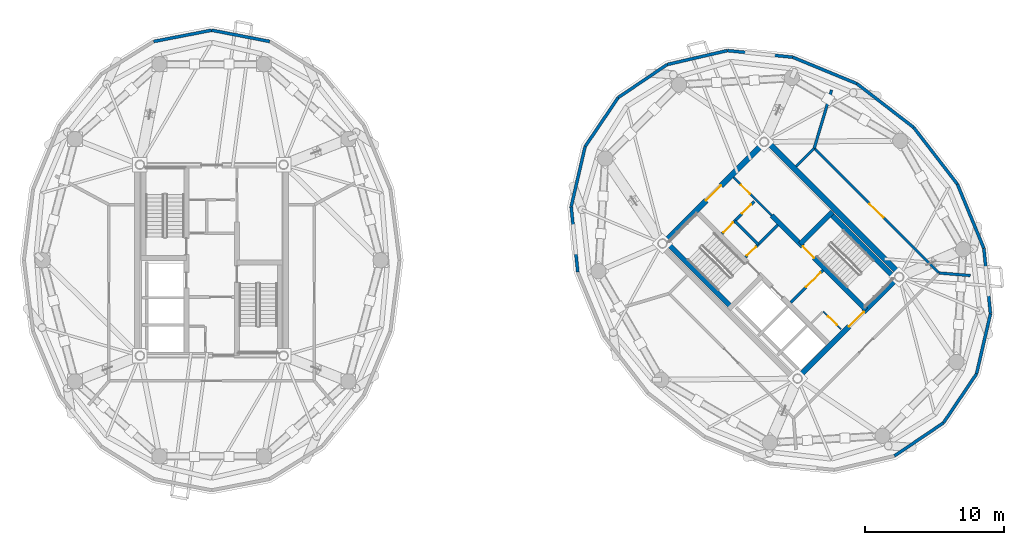
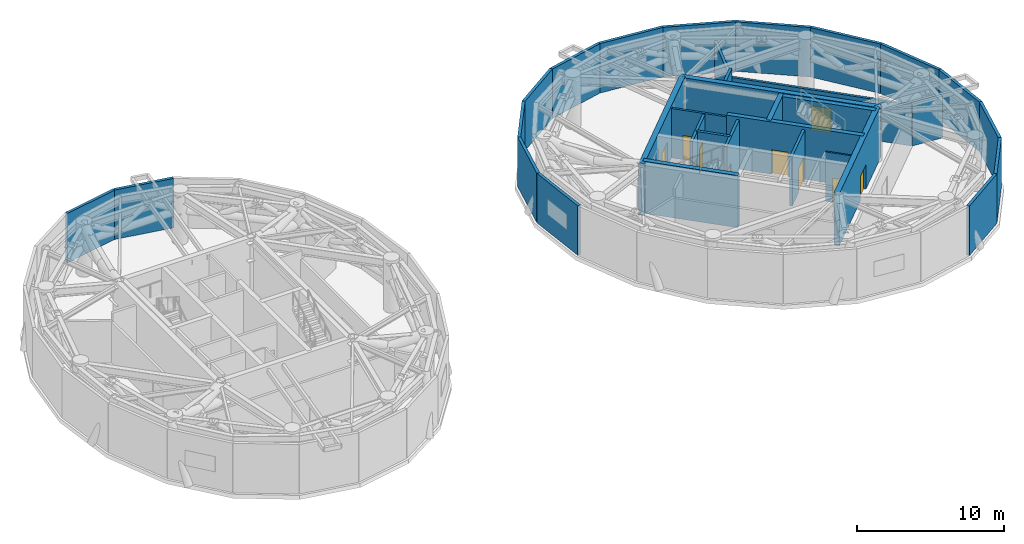
# One storey, part 10 of 14: 33 walls, 10 doors, 10 openings.
"""IFC4 building model written with IfcOpenShell, lengths in metres."""

from ifc_helpers import new_model, si_unit, direction, frame, frame_2d, origin, place, context, subcontext, project, spatial, rectangle, extrude, source, transform, mapped, material, layer, layer_set, type_object, element, fill, save


model = new_model("IFC4")

# Units and contexts
model_context = context("Model", 3, precision=1e-05, world=origin(), true_north=direction((0.0, 1.0)))
body_context = subcontext(model_context, "Body", "Model", "MODEL_VIEW")
ifc_project = project(units=[si_unit("LENGTHUNIT", "METRE"), si_unit("AREAUNIT", "SQUARE_METRE"), si_unit("VOLUMEUNIT", "CUBIC_METRE"), si_unit("PLANEANGLEUNIT", "RADIAN"), si_unit("MASSUNIT", "GRAM", prefix="KILO")], contexts=[model_context])

# Site, building, storey
site_placement = place(None, origin())
site = spatial("IfcSite", under=ifc_project, at=site_placement, CompositionType="ELEMENT")
building_placement = place(site_placement, origin())
building = spatial("IfcBuilding", under=site, at=building_placement, Name="Cununo Teusaquillo Station Towers", CompositionType="ELEMENT")
storey_placement = place(building_placement, frame((0.0, 0.0, 192.340087890625)))
storey = spatial("IfcBuildingStorey", under=building, at=storey_placement, Name="L61", CompositionType="ELEMENT", Elevation=192.340087890625)

# Wall, opening, door
ifc_material_1 = material(Name="Concrete C50/60", Category="concrete")
ifc_layer_1 = layer(ifc_material_1, 0.35009765625)
ifc_layer_set_1 = layer_set([ifc_layer_1], Name="Concrete C50/60")
wall_type_1 = type_object("IfcWallType", Name="WL-CORE-350", PredefinedType="SHEAR", material=ifc_layer_set_1)
wall_1_placement = place(storey_placement, frame((63.627197265625, 20.939697265625, 0.0), z_axis=(0.0, 0.0, 1.0), x_axis=(-0.707119496762, 0.707094065383, 0.0)))
wall_1 = element("IfcWall", 1, at=wall_1_placement, inside=storey, type_object=wall_type_1, Name="L61 Tower B Core Shear Wall IE", PredefinedType="SHEAR", context=body_context, shape_type="SweptSolid", body=[
    extrude(rectangle(XDim=9.60009765625, YDim=0.35009765625, at=frame_2d((4.800048828125, 0.0))), origin(), (0.0, 0.0, 1.0), 4.31982421875),
])
shared_shape_1 = source(origin(), body_context, "Body", "SweptSolid", [
    extrude(rectangle(XDim=1.14990234375, YDim=2.02001953125, at=frame_2d((0.574951171875, 1.010009765625))), frame((0.0, 0.18505859375, 0.0), z_axis=(0.0, -1.0, 0.0), x_axis=(1.0, 0.0, 0.0)), (0.0, 0.0, 1.0), 0.3701171875),
])
opening_1_placement = place(wall_1_placement, frame((5.280029296875, 0.0, 0.0)))
opening_1 = element("IfcOpeningElement", 2, at=opening_1_placement, cuts=wall_1, Name="Opening D-ST1", PredefinedType="OPENING", context=body_context, shape_type="MappedRepresentation", body=[
    mapped(shared_shape_1, transform((0.0, 0.0, 0.0), x_axis=(1.0, 0.0, 0.0), y_axis=(0.0, 1.0, 0.0), z_axis=(0.0, 0.0, 1.0), scale=1.0)),
])
ifc_material_2 = material(Name="Galvanised fire-rated hollow steel door assembly", Category="steel")
door_type_1 = type_object("IfcDoorType", Name="DR-STAIR-1150", OperationType="NOTDEFINED", PredefinedType="DOOR", material=ifc_material_2)
shared_shape_2 = source(origin(), body_context, "Body", "SweptSolid", [
    extrude(rectangle(XDim=1.14990234375, YDim=2.02001953125, at=frame_2d((0.574951171875, 1.010009765625))), frame((0.0, 0.02490234375, 0.0), z_axis=(0.0, -1.0, 0.0), x_axis=(1.0, 0.0, 0.0)), (0.0, 0.0, 1.0), 0.050048828125),
])
door_1_placement = place(opening_1_placement, origin())
door_1 = element("IfcDoor", 3, at=door_1_placement, inside=storey, type_object=door_type_1, Name="L61 Tower B Exit Stair 2 Fire Door", OperationType="SINGLE_SWING_LEFT", OverallHeight=2.02001953125, OverallWidth=1.14990234375, PredefinedType="DOOR", context=body_context, shape_type="MappedRepresentation", body=[
    mapped(shared_shape_2, transform((0.0, 0.0, 0.0), x_axis=(1.0, 0.0, 0.0), y_axis=(0.0, 1.0, 0.0), z_axis=(0.0, 0.0, 1.0), scale=1.0)),
])
fill(opening_1, door_1)

# Walls
for number, where, z_axis, x_axis, name in (
    (4, (53.922119140625, 21.14111328125, 0.0), (0.0, 0.0, 1.0), (-0.707106781187, 0.707106781187, 0.0), "L61 Tower B Core Shear Wall ST1W"),
    (5, (65.81201171875, 23.124755859375, 0.0), (0.0, 0.0, 1.0), (-0.707106781187, 0.707106781187, 0.0), "L61 Tower B Core Shear Wall ST2E"),
):
    element("IfcWall", number, at=place(storey_placement, frame(where, z_axis=z_axis, x_axis=x_axis)), inside=storey, type_object=wall_type_1, Name=name, PredefinedType="SHEAR", context=body_context, shape_type="SweptSolid", body=[
        extrude(rectangle(XDim=6.695068359375, YDim=0.35009765625, at=frame_2d((3.34765625, 0.0))), origin(), (0.0, 0.0, 1.0), 4.31982421875),
    ])
wall_2_placement = place(storey_placement, frame((58.89306640625, 25.673828125, 0.0), z_axis=(0.0, 0.0, 1.0), x_axis=(0.707106781187, 0.707106781187, 0.0)))
element("IfcWall", 6, at=wall_2_placement, inside=storey, type_object=wall_type_1, Name="L61 Tower B Core Shear Wall ST2N", PredefinedType="SHEAR", context=body_context, shape_type="SweptSolid", body=[
    extrude(rectangle(XDim=3.284912109375, YDim=0.35009765625, at=frame_2d((1.642578125, 0.0))), origin(), (0.0, 0.0, 1.0), 4.31982421875),
])
ifc_material_3 = material(Name="Concrete C50/60", Category="concrete")
ifc_layer_2 = layer(ifc_material_3, 0.39990234375)
ifc_layer_set_2 = layer_set([ifc_layer_2], Name="Concrete C50/60")
wall_type_2 = type_object("IfcWallType", Name="WL-CORE-400", PredefinedType="SHEAR", material=ifc_layer_set_2)
wall_3_placement = place(storey_placement, frame((66.26806640625, 23.2978515625, 0.0), z_axis=(0.0, 0.0, 1.0), x_axis=(-0.707106781187, 0.707106781187, 0.0)))
element("IfcWall", 7, at=wall_3_placement, inside=storey, type_object=wall_type_2, Name="L61 Tower B Core Shear Wall E", PredefinedType="SHEAR", context=body_context, shape_type="SweptSolid", body=[
    extrude(rectangle(XDim=14.10009765625, YDim=0.39990234375, at=frame_2d((7.050048828125, 0.0))), origin(), (0.0, 0.0, 1.0), 4.31982421875),
])

# Wall, opening, door
wall_4_placement = place(storey_placement, frame((58.560791015625, 15.873291015625, 0.0), z_axis=(0.0, 0.0, 1.0), x_axis=(0.707106781187, 0.707106781187, 0.0)))
wall_4 = element("IfcWall", 8, at=wall_4_placement, inside=storey, type_object=wall_type_2, Name="L61 Tower B Core Shear Wall S", PredefinedType="SHEAR", context=body_context, shape_type="SweptSolid", body=[
    extrude(rectangle(XDim=10.69970703125, YDim=0.39990234375, at=frame_2d((5.349853515625, 0.0))), origin(), (0.0, 0.0, 1.0), 4.31982421875),
])
shared_shape_3 = source(origin(), body_context, "Body", "SweptSolid", [
    extrude(rectangle(XDim=1.5, YDim=2.02001953125, at=frame_2d((0.75, 1.010009765625))), frame((0.0, 0.2099609375, 0.0), z_axis=(0.0, -1.0, 0.0), x_axis=(1.0, 0.0, 0.0)), (0.0, 0.0, 1.0), 0.419921875),
])
opening_2_placement = place(wall_4_placement, frame((5.449951171875, 0.0, 0.0)))
opening_2 = element("IfcOpeningElement", 9, at=opening_2_placement, cuts=wall_4, Name="Opening D-LB1", PredefinedType="OPENING", context=body_context, shape_type="MappedRepresentation", body=[
    mapped(shared_shape_3, transform((0.0, 0.0, 0.0), x_axis=(1.0, 0.0, 0.0), y_axis=(0.0, 1.0, 0.0), z_axis=(0.0, 0.0, 1.0), scale=1.0)),
])
ifc_material_4 = material(Name="Galvanised fire-rated hollow steel door assembly", Category="steel")
door_type_2 = type_object("IfcDoorType", Name="DR-LOBBY-1500", OperationType="DOUBLE_DOOR_SINGLE_SWING", PredefinedType="DOOR", material=ifc_material_4)
shared_shape_4 = source(origin(), body_context, "Body", "SweptSolid", [
    extrude(rectangle(XDim=1.5, YDim=2.02001953125, at=frame_2d((0.75, 1.010009765625))), frame((0.0, 0.02490234375, 0.0), z_axis=(0.0, -1.0, 0.0), x_axis=(1.0, 0.0, 0.0)), (0.0, 0.0, 1.0), 0.050048828125),
])
door_2_placement = place(opening_2_placement, origin())
door_2 = element("IfcDoor", 10, at=door_2_placement, inside=storey, type_object=door_type_2, Name="L61 Tower B South Core Lift Lobby Door", OperationType="DOUBLE_DOOR_SINGLE_SWING", OverallHeight=2.02001953125, OverallWidth=1.5, PredefinedType="DOOR", context=body_context, shape_type="MappedRepresentation", body=[
    mapped(shared_shape_4, transform((0.0, 0.0, 0.0), x_axis=(1.0, 0.0, 0.0), y_axis=(0.0, 1.0, 0.0), z_axis=(0.0, 0.0, 1.0), scale=1.0)),
])
fill(opening_2, door_2)

wall_5_placement = place(storey_placement, frame((48.873291015625, 25.560791015625, 0.0), z_axis=(0.0, 0.0, 1.0), x_axis=(0.707106781187, 0.707106781187, 0.0)))
wall_5 = element("IfcWall", 11, at=wall_5_placement, inside=storey, type_object=wall_type_2, Name="L61 Tower B Core Shear Wall N", PredefinedType="SHEAR", context=body_context, shape_type="SweptSolid", body=[
    extrude(rectangle(XDim=10.69970703125, YDim=0.39990234375, at=frame_2d((5.349853515625, 0.0))), origin(), (0.0, 0.0, 1.0), 4.31982421875),
])
opening_3_placement = place(wall_5_placement, frame((4.60009765625, 0.0, 0.0)))
opening_3 = element("IfcOpeningElement", 12, at=opening_3_placement, cuts=wall_5, Name="Opening D-LB1", PredefinedType="OPENING", context=body_context, shape_type="MappedRepresentation", body=[
    mapped(shared_shape_3, transform((0.0, 0.0, 0.0), x_axis=(1.0, 0.0, 0.0), y_axis=(0.0, 1.0, 0.0), z_axis=(0.0, 0.0, 1.0), scale=1.0)),
])
door_3_placement = place(opening_3_placement, origin())
door_3 = element("IfcDoor", 13, at=door_3_placement, inside=storey, type_object=door_type_2, Name="L61 Tower B North Core Lift Lobby Door", OperationType="DOUBLE_DOOR_SINGLE_SWING", OverallHeight=2.02001953125, OverallWidth=1.5, PredefinedType="DOOR", context=body_context, shape_type="MappedRepresentation", body=[
    mapped(shared_shape_4, transform((0.0, 0.0, 0.0), x_axis=(1.0, 0.0, 0.0), y_axis=(0.0, 1.0, 0.0), z_axis=(0.0, 0.0, 1.0), scale=1.0)),
])
fill(opening_3, door_3)

# Walls
ifc_material_5 = material(Name="Precast concrete C40/50", Category="concrete")
ifc_layer_3 = layer(ifc_material_5, 0.219970703125)
ifc_layer_set_3 = layer_set([ifc_layer_3], Name="Precast concrete C40/50")
wall_type_3 = type_object("IfcWallType", Name="WL-EXT-220", PredefinedType="SOLIDWALL", material=ifc_layer_set_3)
for number, where, z_axis, x_axis, name in (
    (14, (16.5, 41.070068359375, 0.0), (0.0, 0.0, 1.0), (0.981703883443, -0.190413983815, 0.0), "L61 Tower A Exterior Facade Wall C04"),
    (15, (12.318603515625, 40.259033203125, 0.0), (0.0, 0.0, 1.0), (0.981703883443, 0.190413983815, 0.0), "L61 Tower A Exterior Facade Wall C05"),
):
    element("IfcWall", number, at=place(storey_placement, frame(where, z_axis=z_axis, x_axis=x_axis)), inside=storey, type_object=wall_type_3, Name=name, PredefinedType="SOLIDWALL", context=body_context, shape_type="SweptSolid", body=[
        extrude(rectangle(XDim=4.25927734375, YDim=0.219970703125, at=frame_2d((2.129638671875, 0.0))), origin(), (0.0, 0.0, 1.0), 4.094970703125),
    ])
wall_6_placement = place(storey_placement, frame((62.97900390625, 37.22021484375, 0.0), z_axis=(0.0, 0.0, 1.0), x_axis=(0.791962560189, -0.610569654715, 0.0)))
element("IfcWall", 16, at=wall_6_placement, inside=storey, type_object=wall_type_3, Name="L61 Tower B Exterior Facade Wall C00", PredefinedType="SOLIDWALL", context=body_context, shape_type="SweptSolid", body=[
    extrude(rectangle(XDim=5.162841796875, YDim=0.219970703125, at=frame_2d((2.58154296875, 0.0))), origin(), (0.0, 0.0, 1.0), 4.094970703125),
])
wall_7_placement = place(storey_placement, frame((58.353515625, 39.12744140625, 0.0), z_axis=(0.0, 0.0, 1.0), x_axis=(0.924494066201, -0.381196434348, 0.0)))
element("IfcWall", 17, at=wall_7_placement, inside=storey, type_object=wall_type_3, Name="L61 Tower B Exterior Facade Wall C01", PredefinedType="SOLIDWALL", context=body_context, shape_type="SweptSolid", body=[
    extrude(rectangle(XDim=5.003173828125, YDim=0.219970703125, at=frame_2d((2.50146484375, 0.0))), origin(), (0.0, 0.0, 1.0), 4.094970703125),
])
wall_8_placement = place(storey_placement, frame((53.644775390625, 39.602783203125, 0.0), z_axis=(0.0, 0.0, 1.0), x_axis=(0.994943283129, -0.100438356004, 0.0)))
element("IfcWall", 18, at=wall_8_placement, inside=storey, type_object=wall_type_3, Name="L61 Tower B Exterior Facade Wall C02", PredefinedType="SOLIDWALL", context=body_context, shape_type="SweptSolid", body=[
    extrude(rectangle(XDim=4.732666015625, YDim=0.219970703125, at=frame_2d((2.3662109375, 0.0))), origin(), (0.0, 0.0, 1.0), 4.094970703125),
])
wall_9_placement = place(storey_placement, frame((49.313232421875, 38.599853515625, 0.0), z_axis=(0.0, 0.0, 1.0), x_axis=(0.97422620202, 0.22557328587, 0.0)))
element("IfcWall", 19, at=wall_9_placement, inside=storey, type_object=wall_type_3, Name="L61 Tower B Exterior Facade Wall C03", PredefinedType="SOLIDWALL", context=body_context, shape_type="SweptSolid", body=[
    extrude(rectangle(XDim=4.446044921875, YDim=0.219970703125, at=frame_2d((2.22314453125, 0.0))), origin(), (0.0, 0.0, 1.0), 4.094970703125),
])
for number, where, z_axis, x_axis, name in (
    (20, (45.783203125, 36.216796875, 0.0), (0.0, 0.0, 1.0), (0.828817439852, 0.55951912514, 0.0), "L61 Tower B Exterior Facade Wall C04"),
    (21, (43.400146484375, 32.686767578125, 0.0), (0.0, 0.0, 1.0), (0.55951912514, 0.828817439852, 0.0), "L61 Tower B Exterior Facade Wall C05"),
):
    element("IfcWall", number, at=place(storey_placement, frame(where, z_axis=z_axis, x_axis=x_axis)), inside=storey, type_object=wall_type_3, Name=name, PredefinedType="SOLIDWALL", context=body_context, shape_type="SweptSolid", body=[
        extrude(rectangle(XDim=4.259033203125, YDim=0.219970703125, at=frame_2d((2.12939453125, 0.0))), origin(), (0.0, 0.0, 1.0), 4.094970703125),
    ])
wall_10_placement = place(storey_placement, frame((42.397216796875, 28.355224609375, 0.0), z_axis=(0.0, 0.0, 1.0), x_axis=(0.22557328587, 0.97422620202, 0.0)))
element("IfcWall", 22, at=wall_10_placement, inside=storey, type_object=wall_type_3, Name="L61 Tower B Exterior Facade Wall C06", PredefinedType="SOLIDWALL", context=body_context, shape_type="SweptSolid", body=[
    extrude(rectangle(XDim=4.446044921875, YDim=0.219970703125, at=frame_2d((2.22314453125, 0.0))), origin(), (0.0, 0.0, 1.0), 4.094970703125),
])
wall_11_placement = place(storey_placement, frame((42.87255859375, 23.646484375, 0.0), z_axis=(0.0, 0.0, 1.0), x_axis=(-0.100438356004, 0.994943283129, 0.0)))
element("IfcWall", 23, at=wall_11_placement, inside=storey, type_object=wall_type_3, Name="L61 Tower B Exterior Facade Wall C07", PredefinedType="SOLIDWALL", context=body_context, shape_type="SweptSolid", body=[
    extrude(rectangle(XDim=4.732666015625, YDim=0.219970703125, at=frame_2d((2.3662109375, 0.0))), origin(), (0.0, 0.0, 1.0), 4.094970703125),
])
for number, where, z_axis, x_axis, name in (
    (24, (69.216796875, 12.783203125, 0.0), (0.0, 0.0, 1.0), (-0.828817439852, -0.55951912514, 0.0), "L61 Tower B Exterior Facade Wall C14"),
    (25, (71.599853515625, 16.313232421875, 0.0), (0.0, 0.0, 1.0), (-0.55951912514, -0.828817439852, 0.0), "L61 Tower B Exterior Facade Wall C15"),
):
    element("IfcWall", number, at=place(storey_placement, frame(where, z_axis=z_axis, x_axis=x_axis)), inside=storey, type_object=wall_type_3, Name=name, PredefinedType="SOLIDWALL", context=body_context, shape_type="SweptSolid", body=[
        extrude(rectangle(XDim=4.259033203125, YDim=0.219970703125, at=frame_2d((2.12939453125, 0.0))), origin(), (0.0, 0.0, 1.0), 4.094970703125),
    ])
wall_12_placement = place(storey_placement, frame((72.602783203125, 20.644775390625, 0.0), z_axis=(0.0, 0.0, 1.0), x_axis=(-0.22557328587, -0.97422620202, 0.0)))
element("IfcWall", 26, at=wall_12_placement, inside=storey, type_object=wall_type_3, Name="L61 Tower B Exterior Facade Wall C16", PredefinedType="SOLIDWALL", context=body_context, shape_type="SweptSolid", body=[
    extrude(rectangle(XDim=4.446044921875, YDim=0.219970703125, at=frame_2d((2.22314453125, 0.0))), origin(), (0.0, 0.0, 1.0), 4.094970703125),
])
wall_13_placement = place(storey_placement, frame((72.12744140625, 25.353515625, 0.0), z_axis=(0.0, 0.0, 1.0), x_axis=(0.100438356004, -0.994943283129, 0.0)))
element("IfcWall", 27, at=wall_13_placement, inside=storey, type_object=wall_type_3, Name="L61 Tower B Exterior Facade Wall C17", PredefinedType="SOLIDWALL", context=body_context, shape_type="SweptSolid", body=[
    extrude(rectangle(XDim=4.732666015625, YDim=0.219970703125, at=frame_2d((2.3662109375, 0.0))), origin(), (0.0, 0.0, 1.0), 4.094970703125),
])
wall_14_placement = place(storey_placement, frame((70.22021484375, 29.97900390625, 0.0), z_axis=(0.0, 0.0, 1.0), x_axis=(0.381196434348, -0.924494066201, 0.0)))
element("IfcWall", 28, at=wall_14_placement, inside=storey, type_object=wall_type_3, Name="L61 Tower B Exterior Facade Wall C18", PredefinedType="SOLIDWALL", context=body_context, shape_type="SweptSolid", body=[
    extrude(rectangle(XDim=5.003173828125, YDim=0.219970703125, at=frame_2d((2.50146484375, 0.0))), origin(), (0.0, 0.0, 1.0), 4.094970703125),
])
wall_15_placement = place(storey_placement, frame((67.06787109375, 34.06787109375, 0.0), z_axis=(0.0, 0.0, 1.0), x_axis=(0.610569654715, -0.791962560189, 0.0)))
element("IfcWall", 29, at=wall_15_placement, inside=storey, type_object=wall_type_3, Name="L61 Tower B Exterior Facade Wall C19", PredefinedType="SOLIDWALL", context=body_context, shape_type="SweptSolid", body=[
    extrude(rectangle(XDim=5.162841796875, YDim=0.219970703125, at=frame_2d((2.58154296875, 0.0))), origin(), (0.0, 0.0, 1.0), 4.094970703125),
])

# Wall, opening, door
ifc_material_6 = material(Name="Fire-rated gypsum plasterboard partition assembly", Category="gypsum")
ifc_layer_4 = layer(ifc_material_6, 0.125)
ifc_layer_set_4 = layer_set([ifc_layer_4], Name="Fire-rated gypsum plasterboard partition assembly")
wall_type_4 = type_object("IfcWallType", Name="WL-PART-125", PredefinedType="PARTITIONING", material=ifc_layer_set_4)
wall_16_placement = place(storey_placement, frame((61.834716796875, 19.529052734375, 0.0), z_axis=(0.0, 0.0, 1.0), x_axis=(-0.707174592913, 0.707038962956, 0.0)))
wall_16 = element("IfcWall", 30, at=wall_16_placement, inside=storey, type_object=wall_type_4, Name="L61 Tower B South-West Compact Store East Wall", PredefinedType="PARTITIONING", context=body_context, shape_type="SweptSolid", body=[
    extrude(rectangle(XDim=1.800048828125, YDim=0.125, at=frame_2d((0.89990234375, 0.0))), origin(), (0.0, 0.0, 1.0), 4.094970703125),
])
shared_shape_5 = source(origin(), body_context, "Body", "SweptSolid", [
    extrude(rectangle(XDim=0.89990234375, YDim=2.0048828125, at=frame_2d((0.449951171875, 1.00244140625))), frame((0.0, 0.072509765625, 0.0), z_axis=(0.0, -1.0, 0.0), x_axis=(1.0, 0.0, 0.0)), (0.0, 0.0, 1.0), 0.14501953125),
])
opening_4_placement = place(wall_16_placement, frame((0.419921875, 0.0, 0.0)))
opening_4 = element("IfcOpeningElement", 31, at=opening_4_placement, cuts=wall_16, Name="Opening D-SR1", PredefinedType="OPENING", context=body_context, shape_type="MappedRepresentation", body=[
    mapped(shared_shape_5, transform((0.0, 0.0, 0.0), x_axis=(1.0, 0.0, 0.0), y_axis=(0.0, 1.0, 0.0), z_axis=(0.0, 0.0, 1.0), scale=1.0)),
])
ifc_material_7 = material(Name="Galvanised fire-rated hollow steel door assembly", Category="steel")
door_type_3 = type_object("IfcDoorType", Name="DR-STORE-900", OperationType="NOTDEFINED", PredefinedType="DOOR", material=ifc_material_7)
shared_shape_6 = source(origin(), body_context, "Body", "SweptSolid", [
    extrude(rectangle(XDim=0.89990234375, YDim=2.0048828125, at=frame_2d((0.449951171875, 1.00244140625))), frame((0.0, 0.02490234375, 0.0), z_axis=(0.0, -1.0, 0.0), x_axis=(1.0, 0.0, 0.0)), (0.0, 0.0, 1.0), 0.050048828125),
])
door_4_placement = place(opening_4_placement, origin())
door_4 = element("IfcDoor", 32, at=door_4_placement, inside=storey, type_object=door_type_3, Name="L61 Tower B Core Electrical & Comms Store Door", OperationType="SINGLE_SWING_RIGHT", OverallHeight=2.0048828125, OverallWidth=0.89990234375, PredefinedType="DOOR", context=body_context, shape_type="MappedRepresentation", body=[
    mapped(shared_shape_6, transform((0.0, 0.0, 0.0), x_axis=(1.0, 0.0, 0.0), y_axis=(0.0, 1.0, 0.0), z_axis=(0.0, 0.0, 1.0), scale=1.0)),
])
fill(opening_4, door_4)

ifc_material_8 = material(Name="Fire-rated gypsum plasterboard partition assembly", Category="gypsum")
ifc_layer_5 = layer(ifc_material_8, 0.159912109375)
ifc_layer_set_5 = layer_set([ifc_layer_5], Name="Fire-rated gypsum plasterboard partition assembly")
wall_type_5 = type_object("IfcWallType", Name="WL-PART-160", PredefinedType="PARTITIONING", material=ifc_layer_set_5)
wall_17_placement = place(storey_placement, frame((56.8388671875, 27.727783203125, 0.0), z_axis=(0.0, 0.0, 1.0), x_axis=(-0.707106781187, 0.707106781187, 0.0)))
wall_17 = element("IfcWall", 33, at=wall_17_placement, inside=storey, type_object=wall_type_5, Name="L61 Tower B Reclaimed Core Bay Entry Wall", PredefinedType="PARTITIONING", context=body_context, shape_type="SweptSolid", body=[
    extrude(rectangle(XDim=3.900146484375, YDim=0.159912109375, at=frame_2d((1.9501953125, 0.0))), origin(), (0.0, 0.0, 1.0), 4.094970703125),
])
shared_shape_7 = source(origin(), body_context, "Body", "SweptSolid", [
    extrude(rectangle(XDim=0.89990234375, YDim=2.0048828125, at=frame_2d((0.449951171875, 1.00244140625))), frame((0.0, 0.08984375, 0.0), z_axis=(0.0, -1.0, 0.0), x_axis=(1.0, 0.0, 0.0)), (0.0, 0.0, 1.0), 0.179931640625),
])
opening_5_placement = place(wall_17_placement, frame((2.199951171875, 0.0, 0.0)))
opening_5 = element("IfcOpeningElement", 34, at=opening_5_placement, cuts=wall_17, Name="Opening D-IN1", PredefinedType="OPENING", context=body_context, shape_type="MappedRepresentation", body=[
    mapped(shared_shape_7, transform((0.0, 0.0, 0.0), x_axis=(1.0, 0.0, 0.0), y_axis=(0.0, 1.0, 0.0), z_axis=(0.0, 0.0, 1.0), scale=1.0)),
])
ifc_material_9 = material(Name="Acoustic solid-core hardwood leaf assembly", Category="wood")
door_type_4 = type_object("IfcDoorType", Name="DR-INT-900", OperationType="NOTDEFINED", PredefinedType="DOOR", material=ifc_material_9)
door_5_placement = place(opening_5_placement, origin())
door_5 = element("IfcDoor", 35, at=door_5_placement, inside=storey, type_object=door_type_4, Name="L61 Tower B Reclaimed Core Lounge Door", OperationType="SINGLE_SWING_RIGHT", OverallHeight=2.0048828125, OverallWidth=0.89990234375, PredefinedType="DOOR", context=body_context, shape_type="MappedRepresentation", body=[
    mapped(shared_shape_6, transform((0.0, 0.0, 0.0), x_axis=(1.0, 0.0, 0.0), y_axis=(0.0, 1.0, 0.0), z_axis=(0.0, 0.0, 1.0), scale=1.0)),
])
fill(opening_5, door_5)

ifc_material_10 = material(Name="Fire-rated gypsum plasterboard partition assembly", Category="gypsum")
ifc_layer_6 = layer(ifc_material_10, 0.179931640625)
ifc_layer_set_6 = layer_set([ifc_layer_6], Name="Fire-rated gypsum plasterboard partition assembly")
wall_type_6 = type_object("IfcWallType", Name="WL-PART-180", PredefinedType="PARTITIONING", material=ifc_layer_set_6)
wall_18_placement = place(storey_placement, frame((68.884521484375, 23.580810546875, 0.0), z_axis=(0.0, 0.0, 1.0), x_axis=(-0.707106781187, 0.707106781187, 0.0)))
wall_18 = element("IfcWall", 36, at=wall_18_placement, inside=storey, type_object=wall_type_6, Name="L61 Tower B Protected Plant Corridor Wall E", PredefinedType="PARTITIONING", context=body_context, shape_type="SweptSolid", body=[
    extrude(rectangle(XDim=12.699951171875, YDim=0.179931640625, at=frame_2d((6.35009765625, 0.0))), origin(), (0.0, 0.0, 1.0), 3.385986328125),
])
shared_shape_8 = source(origin(), body_context, "Body", "SweptSolid", [
    extrude(rectangle(XDim=1.39990234375, YDim=2.02001953125, at=frame_2d((0.699951171875, 1.010009765625))), frame((0.0, 0.099853515625, 0.0), z_axis=(0.0, -1.0, 0.0), x_axis=(1.0, 0.0, 0.0)), (0.0, 0.0, 1.0), 0.199951171875),
])
opening_6_placement = place(wall_18_placement, frame((5.64990234375, 0.0, 0.0)))
opening_6 = element("IfcOpeningElement", 37, at=opening_6_placement, cuts=wall_18, Name="Opening D-PL1", PredefinedType="OPENING", context=body_context, shape_type="MappedRepresentation", body=[
    mapped(shared_shape_8, transform((0.0, 0.0, 0.0), x_axis=(1.0, 0.0, 0.0), y_axis=(0.0, 1.0, 0.0), z_axis=(0.0, 0.0, 1.0), scale=1.0)),
])
ifc_material_11 = material(Name="Galvanised fire-rated hollow steel door assembly", Category="steel")
door_type_5 = type_object("IfcDoorType", Name="DR-PLANT-1400", OperationType="NOTDEFINED", PredefinedType="DOOR", material=ifc_material_11)
shared_shape_9 = source(origin(), body_context, "Body", "SweptSolid", [
    extrude(rectangle(XDim=1.39990234375, YDim=2.02001953125, at=frame_2d((0.699951171875, 1.010009765625))), frame((0.0, 0.02490234375, 0.0), z_axis=(0.0, -1.0, 0.0), x_axis=(1.0, 0.0, 0.0)), (0.0, 0.0, 1.0), 0.050048828125),
])
door_6_placement = place(opening_6_placement, origin())
door_6 = element("IfcDoor", 38, at=door_6_placement, inside=storey, type_object=door_type_5, Name="L61 Tower B Plant Room E Double Door", OperationType="SINGLE_SWING_LEFT", OverallHeight=2.02001953125, OverallWidth=1.39990234375, PredefinedType="DOOR", context=body_context, shape_type="MappedRepresentation", body=[
    mapped(shared_shape_9, transform((0.0, 0.0, 0.0), x_axis=(1.0, 0.0, 0.0), y_axis=(0.0, 1.0, 0.0), z_axis=(0.0, 0.0, 1.0), scale=1.0)),
])
fill(opening_6, door_6)

ifc_material_12 = material(Name="Fire-rated gypsum plasterboard partition assembly", Category="gypsum")
ifc_layer_7 = layer(ifc_material_12, 0.199951171875)
ifc_layer_set_7 = layer_set([ifc_layer_7], Name="Fire-rated gypsum plasterboard partition assembly")
wall_type_7 = type_object("IfcWallType", Name="WL-PART-200", PredefinedType="PARTITIONING", material=ifc_layer_set_7)
wall_19_placement = place(storey_placement, frame((58.214111328125, 21.466552734375, 0.0), z_axis=(0.0, 0.0, 1.0), x_axis=(0.707106781187, 0.707106781187, 0.0)))
wall_19 = element("IfcWall", 39, at=wall_19_placement, inside=storey, type_object=wall_type_7, Name="L61 Tower B Firefighting Lift Lobby South Fire Wall", PredefinedType="PARTITIONING", context=body_context, shape_type="SweptSolid", body=[
    extrude(rectangle(XDim=3.280029296875, YDim=0.199951171875, at=frame_2d((1.64013671875, 0.0))), origin(), (0.0, 0.0, 1.0), 4.094970703125),
])
shared_shape_10 = source(origin(), body_context, "Body", "SweptSolid", [
    extrude(rectangle(XDim=1.5, YDim=2.02001953125, at=frame_2d((0.75, 1.010009765625))), frame((0.0, 0.10986328125, 0.0), z_axis=(0.0, -1.0, 0.0), x_axis=(1.0, 0.0, 0.0)), (0.0, 0.0, 1.0), 0.219970703125),
])
opening_7_placement = place(wall_19_placement, frame((1.550048828125, 0.0, 0.0)))
opening_7 = element("IfcOpeningElement", 40, at=opening_7_placement, cuts=wall_19, Name="Opening D-LB1", PredefinedType="OPENING", context=body_context, shape_type="MappedRepresentation", body=[
    mapped(shared_shape_10, transform((0.0, 0.0, 0.0), x_axis=(1.0, 0.0, 0.0), y_axis=(0.0, 1.0, 0.0), z_axis=(0.0, 0.0, 1.0), scale=1.0)),
])
door_7_placement = place(opening_7_placement, origin())
door_7 = element("IfcDoor", 41, at=door_7_placement, inside=storey, type_object=door_type_2, Name="L61 Tower B Firefighting Lift Lobby South Fire Door", OperationType="DOUBLE_DOOR_SINGLE_SWING", OverallHeight=2.02001953125, OverallWidth=1.5, PredefinedType="DOOR", context=body_context, shape_type="MappedRepresentation", body=[
    mapped(shared_shape_4, transform((0.0, 0.0, 0.0), x_axis=(1.0, 0.0, 0.0), y_axis=(0.0, 1.0, 0.0), z_axis=(0.0, 0.0, 1.0), scale=1.0)),
])
fill(opening_7, door_7)

wall_20_placement = place(storey_placement, frame((54.96142578125, 24.71923828125, 0.0), z_axis=(0.0, 0.0, 1.0), x_axis=(0.707106781187, 0.707106781187, 0.0)))
wall_20 = element("IfcWall", 42, at=wall_20_placement, inside=storey, type_object=wall_type_7, Name="L61 Tower B Firefighting Lift Lobby North Fire Wall", PredefinedType="PARTITIONING", context=body_context, shape_type="SweptSolid", body=[
    extrude(rectangle(XDim=3.280029296875, YDim=0.199951171875, at=frame_2d((1.64013671875, 0.0))), origin(), (0.0, 0.0, 1.0), 4.094970703125),
])
shared_shape_11 = source(origin(), body_context, "Body", "SweptSolid", [
    extrude(rectangle(XDim=0.89990234375, YDim=2.0048828125, at=frame_2d((0.449951171875, 1.00244140625))), frame((0.0, 0.10986328125, 0.0), z_axis=(0.0, -1.0, 0.0), x_axis=(1.0, 0.0, 0.0)), (0.0, 0.0, 1.0), 0.219970703125),
])
opening_8_placement = place(wall_20_placement, frame((0.159912109375, 0.0, 0.0)))
opening_8 = element("IfcOpeningElement", 43, at=opening_8_placement, cuts=wall_20, Name="Opening D-SR1", PredefinedType="OPENING", context=body_context, shape_type="MappedRepresentation", body=[
    mapped(shared_shape_11, transform((0.0, 0.0, 0.0), x_axis=(1.0, 0.0, 0.0), y_axis=(0.0, 1.0, 0.0), z_axis=(0.0, 0.0, 1.0), scale=1.0)),
])
door_8_placement = place(opening_8_placement, origin())
door_8 = element("IfcDoor", 44, at=door_8_placement, inside=storey, type_object=door_type_3, Name="L61 Tower B Stair 1 Protected Vestibule South Door", OperationType="SINGLE_SWING_RIGHT", OverallHeight=2.0048828125, OverallWidth=0.89990234375, PredefinedType="DOOR", context=body_context, shape_type="MappedRepresentation", body=[
    mapped(shared_shape_6, transform((0.0, 0.0, 0.0), x_axis=(1.0, 0.0, 0.0), y_axis=(0.0, 1.0, 0.0), z_axis=(0.0, 0.0, 1.0), scale=1.0)),
])
fill(opening_8, door_8)

# Wall
wall_21_placement = place(storey_placement, frame((55.873779296875, 25.63134765625, 0.0), z_axis=(0.0, 0.0, 1.0), x_axis=(-0.707157639372, 0.707055919343, 0.0)))
element("IfcWall", 45, at=wall_21_placement, inside=storey, type_object=wall_type_7, Name="L61 Tower B Stair 1 Vestibule Partition Wall", PredefinedType="PARTITIONING", context=body_context, shape_type="SweptSolid", body=[
    extrude(rectangle(XDim=2.400146484375, YDim=0.199951171875, at=frame_2d((1.2001953125, 0.0))), origin(), (0.0, 0.0, 1.0), 4.094970703125),
])

# Wall, openings, doors
wall_22_placement = place(storey_placement, frame((53.264404296875, 26.416259765625, 0.0), z_axis=(0.0, 0.0, 1.0), x_axis=(0.707106781187, 0.707106781187, 0.0)))
wall_22 = element("IfcWall", 46, at=wall_22_placement, inside=storey, type_object=wall_type_7, Name="L61 Tower B North Lift Lobby South Fire Wall", PredefinedType="PARTITIONING", context=body_context, shape_type="SweptSolid", body=[
    extrude(rectangle(XDim=3.280029296875, YDim=0.199951171875, at=frame_2d((1.64013671875, 0.0))), origin(), (0.0, 0.0, 1.0), 4.094970703125),
])
shared_shape_12 = source(origin(), body_context, "Body", "SweptSolid", [
    extrude(rectangle(XDim=1.0, YDim=2.014892578125, at=frame_2d((0.5, 1.00732421875))), frame((0.0, 0.10986328125, 0.0), z_axis=(0.0, -1.0, 0.0), x_axis=(1.0, 0.0, 0.0)), (0.0, 0.0, 1.0), 0.219970703125),
])
opening_9_placement = place(wall_22_placement, frame((0.139892578125, 0.0, 0.0)))
opening_9 = element("IfcOpeningElement", 47, at=opening_9_placement, cuts=wall_22, Name="Opening D-AC1", PredefinedType="OPENING", context=body_context, shape_type="MappedRepresentation", body=[
    mapped(shared_shape_12, transform((0.0, 0.0, 0.0), x_axis=(1.0, 0.0, 0.0), y_axis=(0.0, 1.0, 0.0), z_axis=(0.0, 0.0, 1.0), scale=1.0)),
])
opening_10_placement = place(wall_22_placement, frame((2.050048828125, 0.0, 0.0)))
opening_10 = element("IfcOpeningElement", 48, at=opening_10_placement, cuts=wall_22, Name="Opening D-SR1", PredefinedType="OPENING", context=body_context, shape_type="MappedRepresentation", body=[
    mapped(shared_shape_11, transform((0.0, 0.0, 0.0), x_axis=(1.0, 0.0, 0.0), y_axis=(0.0, 1.0, 0.0), z_axis=(0.0, 0.0, 1.0), scale=1.0)),
])
door_9_placement = place(opening_10_placement, origin())
door_9 = element("IfcDoor", 49, at=door_9_placement, inside=storey, type_object=door_type_3, Name="L61 Tower B Core Housekeeping & Linen Store Door", OperationType="SINGLE_SWING_LEFT", OverallHeight=2.0048828125, OverallWidth=0.89990234375, PredefinedType="DOOR", context=body_context, shape_type="MappedRepresentation", body=[
    mapped(shared_shape_6, transform((0.0, 0.0, 0.0), x_axis=(1.0, 0.0, 0.0), y_axis=(0.0, 1.0, 0.0), z_axis=(0.0, 0.0, 1.0), scale=1.0)),
])
fill(opening_10, door_9)
ifc_material_13 = material(Name="Acoustic solid-core hardwood leaf assembly", Category="wood")
door_type_6 = type_object("IfcDoorType", Name="DR-ACC-1000", OperationType="NOTDEFINED", PredefinedType="DOOR", material=ifc_material_13)
shared_shape_13 = source(origin(), body_context, "Body", "SweptSolid", [
    extrude(rectangle(XDim=1.0, YDim=2.014892578125, at=frame_2d((0.5, 1.00732421875))), frame((0.0, 0.02490234375, 0.0), z_axis=(0.0, -1.0, 0.0), x_axis=(1.0, 0.0, 0.0)), (0.0, 0.0, 1.0), 0.050048828125),
])
door_10_placement = place(opening_9_placement, origin())
door_10 = element("IfcDoor", 50, at=door_10_placement, inside=storey, type_object=door_type_6, Name="L61 Tower B North Lift Lobby to Stair 1 Vestibule Door", OperationType="SINGLE_SWING_LEFT", OverallHeight=2.014892578125, OverallWidth=1.0, PredefinedType="DOOR", context=body_context, shape_type="MappedRepresentation", body=[
    mapped(shared_shape_13, transform((0.0, 0.0, 0.0), x_axis=(1.0, 0.0, 0.0), y_axis=(0.0, 1.0, 0.0), z_axis=(0.0, 0.0, 1.0), scale=1.0)),
])
fill(opening_9, door_10)

# Walls
wall_23_placement = place(storey_placement, frame((58.595947265625, 31.2529296875, 0.0), z_axis=(0.0, 0.0, 1.0), x_axis=(0.707172758026, 0.707040798191, 0.0)))
element("IfcWall", 51, at=wall_23_placement, inside=storey, type_object=wall_type_7, Name="L61 Tower B Sky Refuge Smoke-Stop Wall NE", PredefinedType="PARTITIONING", context=body_context, shape_type="SweptSolid", body=[
    extrude(rectangle(XDim=1.85009765625, YDim=0.199951171875, at=frame_2d((0.925048828125, 0.0))), origin(), (0.0, 0.0, 1.0), 4.094970703125),
])
wall_24_placement = place(storey_placement, frame((59.904296875, 32.56103515625, 0.0), z_axis=(0.0, 0.0, 1.0), x_axis=(0.285783581439, 0.958294184778, 0.0)))
element("IfcWall", 52, at=wall_24_placement, inside=storey, type_object=wall_type_7, Name="L61 Tower B Compartment Radial Fire Wall Q2", PredefinedType="PARTITIONING", context=body_context, shape_type="SweptSolid", body=[
    extrude(rectangle(XDim=4.382568359375, YDim=0.199951171875, at=frame_2d((2.19140625, 0.0))), origin(), (0.0, 0.0, 1.0), 3.385986328125),
])
wall_25_placement = place(storey_placement, frame((68.884521484375, 23.580810546875, 0.0), z_axis=(0.0, 0.0, 1.0), x_axis=(0.996754503146, -0.080501307187, 0.0)))
element("IfcWall", 53, at=wall_25_placement, inside=storey, type_object=wall_type_7, Name="L61 Tower B Compartment Radial Fire Wall Q3", PredefinedType="PARTITIONING", context=body_context, shape_type="SweptSolid", body=[
    extrude(rectangle(XDim=2.271484375, YDim=0.199951171875, at=frame_2d((1.1357421875, 0.0))), origin(), (0.0, 0.0, 1.0), 3.4658203125),
])

save(model, "model.ifc")
